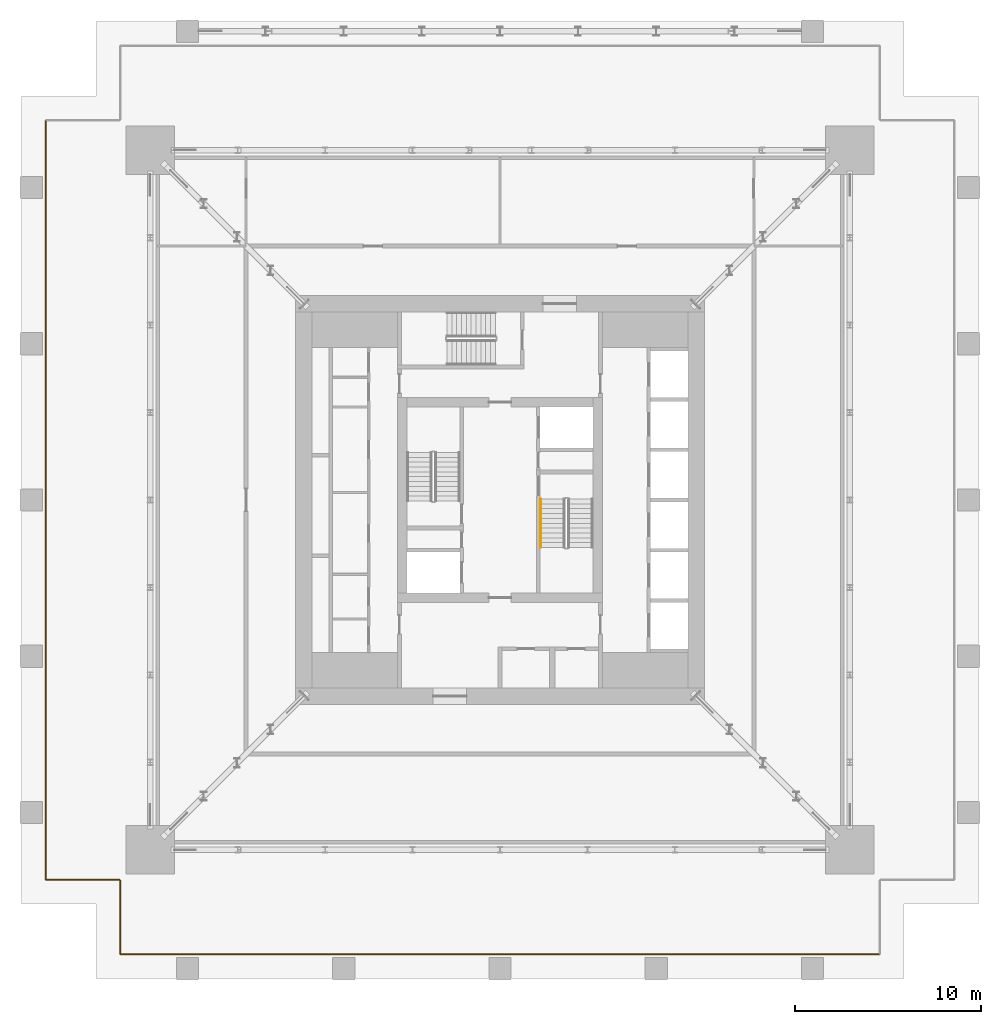
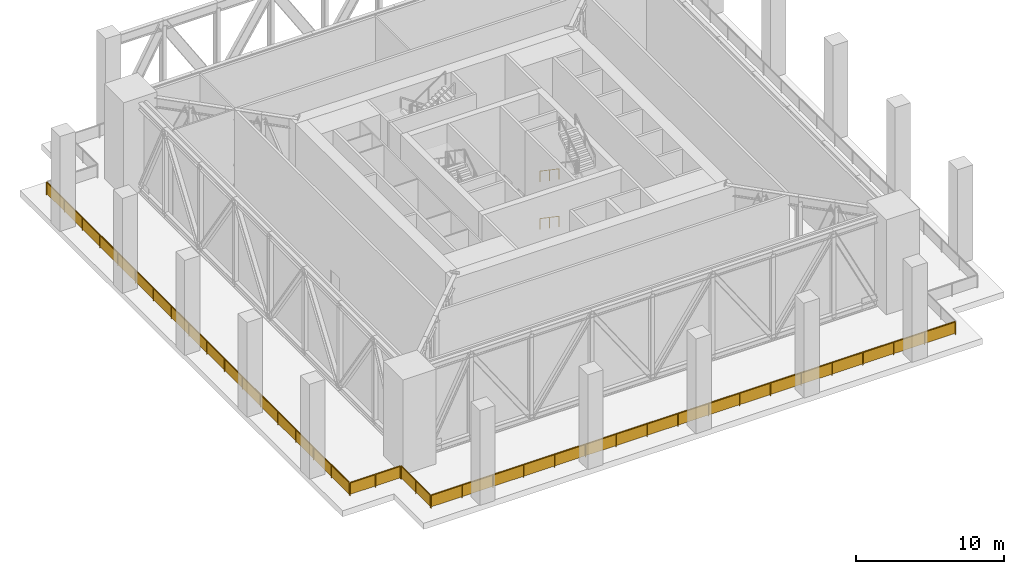
# One storey, part 13 of 17: 6 railings.
"""IFC4 building model written with IfcOpenShell, lengths in metres."""

from ifc_helpers import new_model, si_unit, direction, frame, origin, origin_2d, place, context, subcontext, project, spatial, rectangle, extrude, material, type_object, element, save


model = new_model("IFC4")

# Units and contexts
model_context = context("Model", 3, precision=1e-05, world=origin(), true_north=direction((0.0, 1.0)))
body_context = subcontext(model_context, "Body", "Model", "MODEL_VIEW")
ifc_project = project(units=[si_unit("LENGTHUNIT", "METRE"), si_unit("AREAUNIT", "SQUARE_METRE"), si_unit("VOLUMEUNIT", "CUBIC_METRE"), si_unit("PLANEANGLEUNIT", "RADIAN"), si_unit("MASSUNIT", "GRAM", prefix="KILO")], contexts=[model_context])

# Site, building, storey
site_placement = place(None, origin())
site = spatial("IfcSite", under=ifc_project, at=site_placement, CompositionType="ELEMENT")
building_placement = place(site_placement, origin())
building = spatial("IfcBuilding", under=site, at=building_placement, Name="Khepri Terraces", CompositionType="ELEMENT")
storey_placement = place(building_placement, frame((0.0, 0.0, 180.60009765625)))
storey = spatial("IfcBuildingStorey", under=building, at=storey_placement, Name="L43", CompositionType="ELEMENT", Elevation=180.60009765625)

# Railings
ifc_material_1 = material(Name="Stainless steel grade 316", Category="steel")
railing_type_1 = type_object("IfcRailingType", Name="GRD-BAL-1100", PredefinedType="GUARDRAIL", material=ifc_material_1)
railing_1_placement = place(storey_placement, frame((-24.419921875, 20.3798828125, 0.0)))
element("IfcRailing", 1, at=railing_1_placement, inside=storey, type_object=railing_type_1, Name="Edge guard L43", PredefinedType="GUARDRAIL", context=body_context, shape_type="SweptSolid", body=[
    extrude(rectangle(XDim=0.050048828125, YDim=0.06005859375, at=origin_2d()), frame((0.0, 0.0, 1.070068359375), z_axis=(0.0, -1.0, 0.0), x_axis=(1.0, 0.0, 0.0)), (0.0, 0.0, 1.0), 40.759765625),
    extrude(rectangle(XDim=2.34765625, YDim=0.011962890625, at=origin_2d()), frame((0.0, -1.19873046875, 0.10009765625), z_axis=(0.0, 0.0, 1.0), x_axis=(0.0, -1.0, 0.0)), (0.0, 0.0, 1.0), 0.93994140625),
    extrude(rectangle(XDim=2.34765625, YDim=0.011962890625, at=origin_2d()), frame((0.0, -3.596435546875, 0.10009765625), z_axis=(0.0, 0.0, 1.0), x_axis=(0.0, -1.0, 0.0)), (0.0, 0.0, 1.0), 0.93994140625),
    extrude(rectangle(XDim=2.34765625, YDim=0.011962890625, at=origin_2d()), frame((0.0, -5.994140625, 0.10009765625), z_axis=(0.0, 0.0, 1.0), x_axis=(0.0, -1.0, 0.0)), (0.0, 0.0, 1.0), 0.93994140625),
    extrude(rectangle(XDim=2.34765625, YDim=0.011962890625, at=origin_2d()), frame((0.0, -8.3916015625, 0.10009765625), z_axis=(0.0, 0.0, 1.0), x_axis=(0.0, -1.0, 0.0)), (0.0, 0.0, 1.0), 0.93994140625),
    extrude(rectangle(XDim=2.34765625, YDim=0.011962890625, at=origin_2d()), frame((0.0, -10.789306640625, 0.10009765625), z_axis=(0.0, 0.0, 1.0), x_axis=(0.0, -1.0, 0.0)), (0.0, 0.0, 1.0), 0.93994140625),
    extrude(rectangle(XDim=2.34765625, YDim=0.011962890625, at=origin_2d()), frame((0.0, -13.18701171875, 0.10009765625), z_axis=(0.0, 0.0, 1.0), x_axis=(0.0, -1.0, 0.0)), (0.0, 0.0, 1.0), 0.93994140625),
    extrude(rectangle(XDim=2.34765625, YDim=0.011962890625, at=origin_2d()), frame((0.0, -15.584716796875, 0.10009765625), z_axis=(0.0, 0.0, 1.0), x_axis=(0.0, -1.0, 0.0)), (0.0, 0.0, 1.0), 0.93994140625),
    extrude(rectangle(XDim=2.34765625, YDim=0.011962890625, at=origin_2d()), frame((0.0, -17.982177734375, 0.10009765625), z_axis=(0.0, 0.0, 1.0), x_axis=(0.0, -1.0, 0.0)), (0.0, 0.0, 1.0), 0.93994140625),
    extrude(rectangle(XDim=2.34765625, YDim=0.011962890625, at=origin_2d()), frame((0.0, -20.3798828125, 0.10009765625), z_axis=(0.0, 0.0, 1.0), x_axis=(0.0, -1.0, 0.0)), (0.0, 0.0, 1.0), 0.93994140625),
    extrude(rectangle(XDim=2.34765625, YDim=0.011962890625, at=origin_2d()), frame((0.0, -22.777587890625, 0.10009765625), z_axis=(0.0, 0.0, 1.0), x_axis=(0.0, -1.0, 0.0)), (0.0, 0.0, 1.0), 0.93994140625),
    extrude(rectangle(XDim=2.34765625, YDim=0.011962890625, at=origin_2d()), frame((0.0, -25.175048828125, 0.10009765625), z_axis=(0.0, 0.0, 1.0), x_axis=(0.0, -1.0, 0.0)), (0.0, 0.0, 1.0), 0.93994140625),
    extrude(rectangle(XDim=2.34765625, YDim=0.011962890625, at=origin_2d()), frame((0.0, -27.57275390625, 0.10009765625), z_axis=(0.0, 0.0, 1.0), x_axis=(0.0, -1.0, 0.0)), (0.0, 0.0, 1.0), 0.93994140625),
    extrude(rectangle(XDim=2.34765625, YDim=0.011962890625, at=origin_2d()), frame((0.0, -29.970458984375, 0.10009765625), z_axis=(0.0, 0.0, 1.0), x_axis=(0.0, -1.0, 0.0)), (0.0, 0.0, 1.0), 0.93994140625),
    extrude(rectangle(XDim=2.34765625, YDim=0.011962890625, at=origin_2d()), frame((0.0, -32.3681640625, 0.10009765625), z_axis=(0.0, 0.0, 1.0), x_axis=(0.0, -1.0, 0.0)), (0.0, 0.0, 1.0), 0.93994140625),
    extrude(rectangle(XDim=2.34765625, YDim=0.011962890625, at=origin_2d()), frame((0.0, -34.765625, 0.10009765625), z_axis=(0.0, 0.0, 1.0), x_axis=(0.0, -1.0, 0.0)), (0.0, 0.0, 1.0), 0.93994140625),
    extrude(rectangle(XDim=2.34765625, YDim=0.011962890625, at=origin_2d()), frame((0.0, -37.163330078125, 0.10009765625), z_axis=(0.0, 0.0, 1.0), x_axis=(0.0, -1.0, 0.0)), (0.0, 0.0, 1.0), 0.93994140625),
    extrude(rectangle(XDim=2.34765625, YDim=0.011962890625, at=origin_2d()), frame((0.0, -39.56103515625, 0.10009765625), z_axis=(0.0, 0.0, 1.0), x_axis=(0.0, -1.0, 0.0)), (0.0, 0.0, 1.0), 0.93994140625),
    extrude(rectangle(XDim=0.050048828125, YDim=0.050048828125, at=origin_2d()), origin(), (0.0, 0.0, 1.0), 1.0400390625),
    extrude(rectangle(XDim=0.050048828125, YDim=0.050048828125, at=origin_2d()), frame((0.0, -2.397705078125, 0.0)), (0.0, 0.0, 1.0), 1.0400390625),
    extrude(rectangle(XDim=0.050048828125, YDim=0.050048828125, at=origin_2d()), frame((0.0, -4.795166015625, 0.0)), (0.0, 0.0, 1.0), 1.0400390625),
    extrude(rectangle(XDim=0.050048828125, YDim=0.050048828125, at=origin_2d()), frame((0.0, -7.19287109375, 0.0)), (0.0, 0.0, 1.0), 1.0400390625),
    extrude(rectangle(XDim=0.050048828125, YDim=0.050048828125, at=origin_2d()), frame((0.0, -9.590576171875, 0.0)), (0.0, 0.0, 1.0), 1.0400390625),
    extrude(rectangle(XDim=0.050048828125, YDim=0.050048828125, at=origin_2d()), frame((0.0, -11.98828125, 0.0)), (0.0, 0.0, 1.0), 1.0400390625),
    extrude(rectangle(XDim=0.050048828125, YDim=0.050048828125, at=origin_2d()), frame((0.0, -14.3857421875, 0.0)), (0.0, 0.0, 1.0), 1.0400390625),
    extrude(rectangle(XDim=0.050048828125, YDim=0.050048828125, at=origin_2d()), frame((0.0, -16.783447265625, 0.0)), (0.0, 0.0, 1.0), 1.0400390625),
    extrude(rectangle(XDim=0.050048828125, YDim=0.050048828125, at=origin_2d()), frame((0.0, -19.18115234375, 0.0)), (0.0, 0.0, 1.0), 1.0400390625),
    extrude(rectangle(XDim=0.050048828125, YDim=0.050048828125, at=origin_2d()), frame((0.0, -21.57861328125, 0.0)), (0.0, 0.0, 1.0), 1.0400390625),
    extrude(rectangle(XDim=0.050048828125, YDim=0.050048828125, at=origin_2d()), frame((0.0, -23.976318359375, 0.0)), (0.0, 0.0, 1.0), 1.0400390625),
    extrude(rectangle(XDim=0.050048828125, YDim=0.050048828125, at=origin_2d()), frame((0.0, -26.3740234375, 0.0)), (0.0, 0.0, 1.0), 1.0400390625),
    extrude(rectangle(XDim=0.050048828125, YDim=0.050048828125, at=origin_2d()), frame((0.0, -28.771484375, 0.0)), (0.0, 0.0, 1.0), 1.0400390625),
    extrude(rectangle(XDim=0.050048828125, YDim=0.050048828125, at=origin_2d()), frame((0.0, -31.169189453125, 0.0)), (0.0, 0.0, 1.0), 1.0400390625),
    extrude(rectangle(XDim=0.050048828125, YDim=0.050048828125, at=origin_2d()), frame((0.0, -33.56689453125, 0.0)), (0.0, 0.0, 1.0), 1.0400390625),
    extrude(rectangle(XDim=0.050048828125, YDim=0.050048828125, at=origin_2d()), frame((0.0, -35.964599609375, 0.0)), (0.0, 0.0, 1.0), 1.0400390625),
    extrude(rectangle(XDim=0.050048828125, YDim=0.050048828125, at=origin_2d()), frame((0.0, -38.362060546875, 0.0)), (0.0, 0.0, 1.0), 1.0400390625),
    extrude(rectangle(XDim=0.050048828125, YDim=0.050048828125, at=origin_2d()), frame((0.0, -40.759765625, 0.0)), (0.0, 0.0, 1.0), 1.0400390625),
])
railing_2_placement = place(storey_placement, frame((-24.3798828125, -20.419921875, 0.0)))
element("IfcRailing", 2, at=railing_2_placement, inside=storey, type_object=railing_type_1, Name="Edge guard L43", PredefinedType="GUARDRAIL", context=body_context, shape_type="SweptSolid", body=[
    extrude(rectangle(XDim=0.050048828125, YDim=0.06005859375, at=origin_2d()), frame((0.0, 0.0, 1.070068359375), z_axis=(1.0, 0.0, 0.0), x_axis=(0.0, 1.0, 0.0)), (0.0, 0.0, 1.0), 3.919921875),
    extrude(rectangle(XDim=1.909912109375, YDim=0.011962890625, at=origin_2d()), frame((0.97998046875, 0.0, 0.10009765625), z_axis=(0.0, 0.0, 1.0), x_axis=(1.0, 0.0, 0.0)), (0.0, 0.0, 1.0), 0.93994140625),
    extrude(rectangle(XDim=1.909912109375, YDim=0.011962890625, at=origin_2d()), frame((2.93994140625, 0.0, 0.10009765625), z_axis=(0.0, 0.0, 1.0), x_axis=(1.0, 0.0, 0.0)), (0.0, 0.0, 1.0), 0.93994140625),
    extrude(rectangle(XDim=0.050048828125, YDim=0.050048828125, at=origin_2d()), origin(), (0.0, 0.0, 1.0), 1.0400390625),
    extrude(rectangle(XDim=0.050048828125, YDim=0.050048828125, at=origin_2d()), frame((1.9599609375, 0.0, 0.0)), (0.0, 0.0, 1.0), 1.0400390625),
    extrude(rectangle(XDim=0.050048828125, YDim=0.050048828125, at=origin_2d()), frame((3.919921875, 0.0, 0.0)), (0.0, 0.0, 1.0), 1.0400390625),
])
railing_3_placement = place(storey_placement, frame((-20.419921875, -20.4599609375, 0.0)))
element("IfcRailing", 3, at=railing_3_placement, inside=storey, type_object=railing_type_1, Name="Edge guard L43", PredefinedType="GUARDRAIL", context=body_context, shape_type="SweptSolid", body=[
    extrude(rectangle(XDim=0.050048828125, YDim=0.06005859375, at=origin_2d()), frame((0.0, 0.0, 1.070068359375), z_axis=(0.0, -1.0, 0.0), x_axis=(1.0, 0.0, 0.0)), (0.0, 0.0, 1.0), 3.919921875),
    extrude(rectangle(XDim=1.909912109375, YDim=0.011962890625, at=origin_2d()), frame((0.0, -0.97998046875, 0.10009765625), z_axis=(0.0, 0.0, 1.0), x_axis=(0.0, -1.0, 0.0)), (0.0, 0.0, 1.0), 0.93994140625),
    extrude(rectangle(XDim=1.909912109375, YDim=0.011962890625, at=origin_2d()), frame((0.0, -2.93994140625, 0.10009765625), z_axis=(0.0, 0.0, 1.0), x_axis=(0.0, -1.0, 0.0)), (0.0, 0.0, 1.0), 0.93994140625),
    extrude(rectangle(XDim=0.050048828125, YDim=0.050048828125, at=origin_2d()), origin(), (0.0, 0.0, 1.0), 1.0400390625),
    extrude(rectangle(XDim=0.050048828125, YDim=0.050048828125, at=origin_2d()), frame((0.0, -1.9599609375, 0.0)), (0.0, 0.0, 1.0), 1.0400390625),
    extrude(rectangle(XDim=0.050048828125, YDim=0.050048828125, at=origin_2d()), frame((0.0, -3.919921875, 0.0)), (0.0, 0.0, 1.0), 1.0400390625),
])
railing_4_placement = place(storey_placement, frame((-20.3798828125, -24.419921875, 0.0)))
element("IfcRailing", 4, at=railing_4_placement, inside=storey, type_object=railing_type_1, Name="Edge guard L43", PredefinedType="GUARDRAIL", context=body_context, shape_type="SweptSolid", body=[
    extrude(rectangle(XDim=0.050048828125, YDim=0.06005859375, at=origin_2d()), frame((0.0, 0.0, 1.070068359375), z_axis=(1.0, 0.0, 0.0), x_axis=(0.0, 1.0, 0.0)), (0.0, 0.0, 1.0), 40.759765625),
    extrude(rectangle(XDim=2.34765625, YDim=0.011962890625, at=origin_2d()), frame((1.19873046875, 0.0, 0.10009765625), z_axis=(0.0, 0.0, 1.0), x_axis=(1.0, 0.0, 0.0)), (0.0, 0.0, 1.0), 0.93994140625),
    extrude(rectangle(XDim=2.34765625, YDim=0.011962890625, at=origin_2d()), frame((3.596435546875, 0.0, 0.10009765625), z_axis=(0.0, 0.0, 1.0), x_axis=(1.0, 0.0, 0.0)), (0.0, 0.0, 1.0), 0.93994140625),
    extrude(rectangle(XDim=2.34765625, YDim=0.011962890625, at=origin_2d()), frame((5.994140625, 0.0, 0.10009765625), z_axis=(0.0, 0.0, 1.0), x_axis=(1.0, 0.0, 0.0)), (0.0, 0.0, 1.0), 0.93994140625),
    extrude(rectangle(XDim=2.34765625, YDim=0.011962890625, at=origin_2d()), frame((8.3916015625, 0.0, 0.10009765625), z_axis=(0.0, 0.0, 1.0), x_axis=(1.0, 0.0, 0.0)), (0.0, 0.0, 1.0), 0.93994140625),
    extrude(rectangle(XDim=2.34765625, YDim=0.011962890625, at=origin_2d()), frame((10.789306640625, 0.0, 0.10009765625), z_axis=(0.0, 0.0, 1.0), x_axis=(1.0, 0.0, 0.0)), (0.0, 0.0, 1.0), 0.93994140625),
    extrude(rectangle(XDim=2.34765625, YDim=0.011962890625, at=origin_2d()), frame((13.18701171875, 0.0, 0.10009765625), z_axis=(0.0, 0.0, 1.0), x_axis=(1.0, 0.0, 0.0)), (0.0, 0.0, 1.0), 0.93994140625),
    extrude(rectangle(XDim=2.34765625, YDim=0.011962890625, at=origin_2d()), frame((15.584716796875, 0.0, 0.10009765625), z_axis=(0.0, 0.0, 1.0), x_axis=(1.0, 0.0, 0.0)), (0.0, 0.0, 1.0), 0.93994140625),
    extrude(rectangle(XDim=2.34765625, YDim=0.011962890625, at=origin_2d()), frame((17.982177734375, 0.0, 0.10009765625), z_axis=(0.0, 0.0, 1.0), x_axis=(1.0, 0.0, 0.0)), (0.0, 0.0, 1.0), 0.93994140625),
    extrude(rectangle(XDim=2.34765625, YDim=0.011962890625, at=origin_2d()), frame((20.3798828125, 0.0, 0.10009765625), z_axis=(0.0, 0.0, 1.0), x_axis=(1.0, 0.0, 0.0)), (0.0, 0.0, 1.0), 0.93994140625),
    extrude(rectangle(XDim=2.34765625, YDim=0.011962890625, at=origin_2d()), frame((22.777587890625, 0.0, 0.10009765625), z_axis=(0.0, 0.0, 1.0), x_axis=(1.0, 0.0, 0.0)), (0.0, 0.0, 1.0), 0.93994140625),
    extrude(rectangle(XDim=2.34765625, YDim=0.011962890625, at=origin_2d()), frame((25.175048828125, 0.0, 0.10009765625), z_axis=(0.0, 0.0, 1.0), x_axis=(1.0, 0.0, 0.0)), (0.0, 0.0, 1.0), 0.93994140625),
    extrude(rectangle(XDim=2.34765625, YDim=0.011962890625, at=origin_2d()), frame((27.57275390625, 0.0, 0.10009765625), z_axis=(0.0, 0.0, 1.0), x_axis=(1.0, 0.0, 0.0)), (0.0, 0.0, 1.0), 0.93994140625),
    extrude(rectangle(XDim=2.34765625, YDim=0.011962890625, at=origin_2d()), frame((29.970458984375, 0.0, 0.10009765625), z_axis=(0.0, 0.0, 1.0), x_axis=(1.0, 0.0, 0.0)), (0.0, 0.0, 1.0), 0.93994140625),
    extrude(rectangle(XDim=2.34765625, YDim=0.011962890625, at=origin_2d()), frame((32.3681640625, 0.0, 0.10009765625), z_axis=(0.0, 0.0, 1.0), x_axis=(1.0, 0.0, 0.0)), (0.0, 0.0, 1.0), 0.93994140625),
    extrude(rectangle(XDim=2.34765625, YDim=0.011962890625, at=origin_2d()), frame((34.765625, 0.0, 0.10009765625), z_axis=(0.0, 0.0, 1.0), x_axis=(1.0, 0.0, 0.0)), (0.0, 0.0, 1.0), 0.93994140625),
    extrude(rectangle(XDim=2.34765625, YDim=0.011962890625, at=origin_2d()), frame((37.163330078125, 0.0, 0.10009765625), z_axis=(0.0, 0.0, 1.0), x_axis=(1.0, 0.0, 0.0)), (0.0, 0.0, 1.0), 0.93994140625),
    extrude(rectangle(XDim=2.34765625, YDim=0.011962890625, at=origin_2d()), frame((39.56103515625, 0.0, 0.10009765625), z_axis=(0.0, 0.0, 1.0), x_axis=(1.0, 0.0, 0.0)), (0.0, 0.0, 1.0), 0.93994140625),
    extrude(rectangle(XDim=0.050048828125, YDim=0.050048828125, at=origin_2d()), origin(), (0.0, 0.0, 1.0), 1.0400390625),
    extrude(rectangle(XDim=0.050048828125, YDim=0.050048828125, at=origin_2d()), frame((2.397705078125, 0.0, 0.0)), (0.0, 0.0, 1.0), 1.0400390625),
    extrude(rectangle(XDim=0.050048828125, YDim=0.050048828125, at=origin_2d()), frame((4.795166015625, 0.0, 0.0)), (0.0, 0.0, 1.0), 1.0400390625),
    extrude(rectangle(XDim=0.050048828125, YDim=0.050048828125, at=origin_2d()), frame((7.19287109375, 0.0, 0.0)), (0.0, 0.0, 1.0), 1.0400390625),
    extrude(rectangle(XDim=0.050048828125, YDim=0.050048828125, at=origin_2d()), frame((9.590576171875, 0.0, 0.0)), (0.0, 0.0, 1.0), 1.0400390625),
    extrude(rectangle(XDim=0.050048828125, YDim=0.050048828125, at=origin_2d()), frame((11.98828125, 0.0, 0.0)), (0.0, 0.0, 1.0), 1.0400390625),
    extrude(rectangle(XDim=0.050048828125, YDim=0.050048828125, at=origin_2d()), frame((14.3857421875, 0.0, 0.0)), (0.0, 0.0, 1.0), 1.0400390625),
    extrude(rectangle(XDim=0.050048828125, YDim=0.050048828125, at=origin_2d()), frame((16.783447265625, 0.0, 0.0)), (0.0, 0.0, 1.0), 1.0400390625),
    extrude(rectangle(XDim=0.050048828125, YDim=0.050048828125, at=origin_2d()), frame((19.18115234375, 0.0, 0.0)), (0.0, 0.0, 1.0), 1.0400390625),
    extrude(rectangle(XDim=0.050048828125, YDim=0.050048828125, at=origin_2d()), frame((21.57861328125, 0.0, 0.0)), (0.0, 0.0, 1.0), 1.0400390625),
    extrude(rectangle(XDim=0.050048828125, YDim=0.050048828125, at=origin_2d()), frame((23.976318359375, 0.0, 0.0)), (0.0, 0.0, 1.0), 1.0400390625),
    extrude(rectangle(XDim=0.050048828125, YDim=0.050048828125, at=origin_2d()), frame((26.3740234375, 0.0, 0.0)), (0.0, 0.0, 1.0), 1.0400390625),
    extrude(rectangle(XDim=0.050048828125, YDim=0.050048828125, at=origin_2d()), frame((28.771484375, 0.0, 0.0)), (0.0, 0.0, 1.0), 1.0400390625),
    extrude(rectangle(XDim=0.050048828125, YDim=0.050048828125, at=origin_2d()), frame((31.169189453125, 0.0, 0.0)), (0.0, 0.0, 1.0), 1.0400390625),
    extrude(rectangle(XDim=0.050048828125, YDim=0.050048828125, at=origin_2d()), frame((33.56689453125, 0.0, 0.0)), (0.0, 0.0, 1.0), 1.0400390625),
    extrude(rectangle(XDim=0.050048828125, YDim=0.050048828125, at=origin_2d()), frame((35.964599609375, 0.0, 0.0)), (0.0, 0.0, 1.0), 1.0400390625),
    extrude(rectangle(XDim=0.050048828125, YDim=0.050048828125, at=origin_2d()), frame((38.362060546875, 0.0, 0.0)), (0.0, 0.0, 1.0), 1.0400390625),
    extrude(rectangle(XDim=0.050048828125, YDim=0.050048828125, at=origin_2d()), frame((40.759765625, 0.0, 0.0)), (0.0, 0.0, 1.0), 1.0400390625),
])
ifc_material_2 = material(Name="Stainless steel 316", Category="steel")
railing_type_2 = type_object("IfcRailingType", Name="RL-CORE-HANDRAIL", PredefinedType="HANDRAIL", material=ifc_material_2)
for number, where, name in (
    (5, (2.199951171875, 0.050048828125, 0.17724609375), "L43 ST-2 stair handrail 1"),
    (6, (2.199951171875, 0.050048828125, 4.0771484375), "L43 ST-2 stair handrail 3"),
):
    element("IfcRailing", number, at=place(storey_placement, frame(where)), inside=storey, type_object=railing_type_2, Name=name, PredefinedType="HANDRAIL", context=body_context, shape_type="SweptSolid", body=[
        extrude(rectangle(XDim=0.050048828125, YDim=0.050048828125, at=origin_2d()), frame((0.0, 0.0, 0.875), z_axis=(0.0, -0.826240473404, 0.563317565952), x_axis=(1.0, 0.0, 0.0)), (0.0, 0.0, 1.0), 3.14697265625),
        extrude(rectangle(XDim=0.050048828125, YDim=0.050048828125, at=origin_2d()), origin(), (0.0, 0.0, 1.0), 0.849853515625),
        extrude(rectangle(XDim=0.050048828125, YDim=0.050048828125, at=origin_2d()), frame((0.0, -1.300048828125, 0.88623046875)), (0.0, 0.0, 1.0), 0.849853515625),
        extrude(rectangle(XDim=0.050048828125, YDim=0.050048828125, at=origin_2d()), frame((0.0, -2.60009765625, 1.772705078125)), (0.0, 0.0, 1.0), 0.849853515625),
    ])

save(model, "model.ifc")
